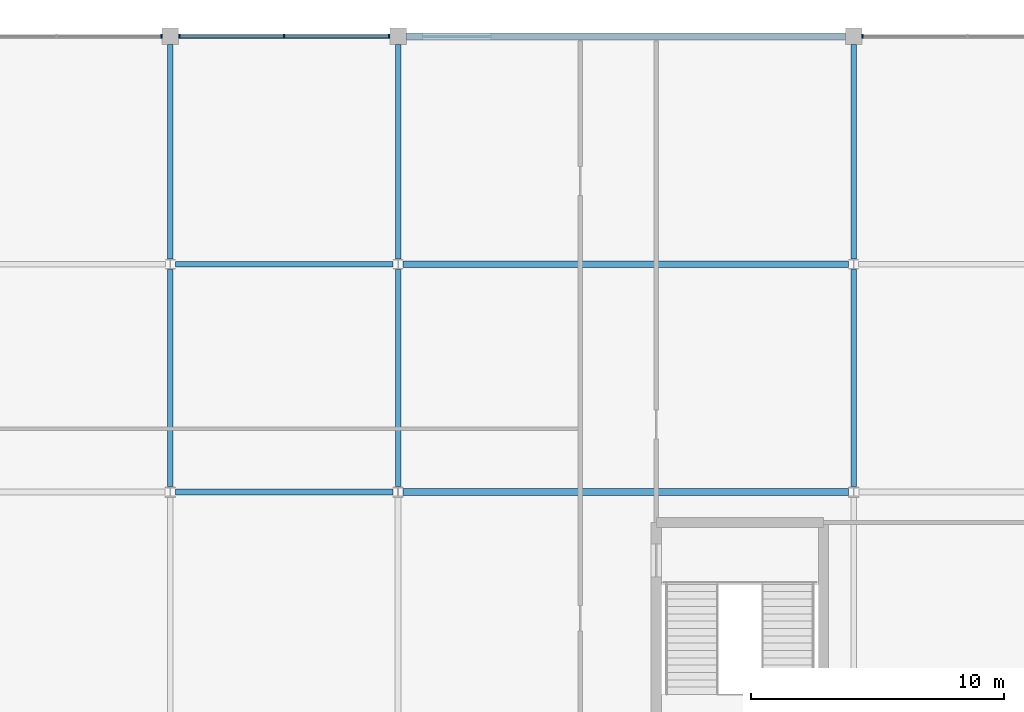
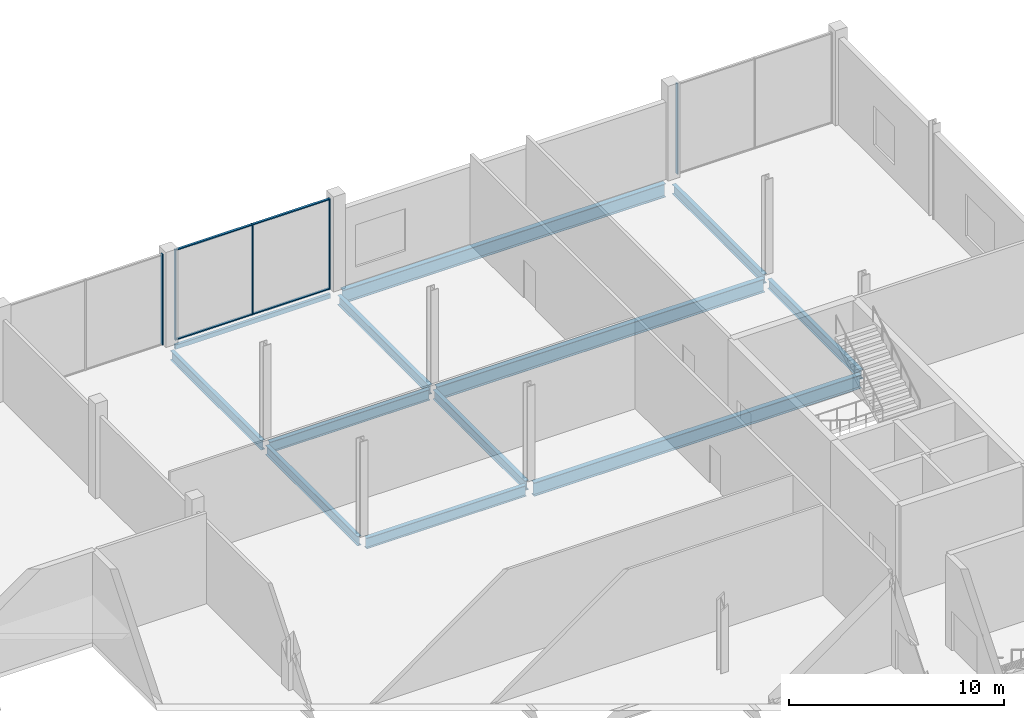
# One storey, part 52 of 111: 12 beams, 9 members, 3 elements without a shape of their own.
"""IFC4 building model written with IfcOpenShell, lengths in metres."""

import ifcopenshell
import ifcopenshell.guid

model = None  # the IFC model being written
_history = None  # IfcOwnerHistory: only IFC2X3 demands one
_inside = {}  # id of a spatial element -> (the spatial element, [elements in it])
_under = {}  # id of a project, library or spatial element -> (it, [spatial elements below it])
_declared = {}  # id of a project -> (the project, [libraries it declares])
_typed = {}  # id of a type object -> (the type object, [elements of that type])
_made_of = {}  # id of a material, layer set ... -> (it, [elements and type objects made of it])


def new_model(schema):
    """Start an empty IFC model of exactly this schema.

    Asked for "IFC4X3", IfcOpenShell would pick the latest addendum, in which some entities
    have other attributes; the version numbers below select the first issue.
    IFC2X3 requires an IfcOwnerHistory on every rooted entity: one is made here for all.
    """
    global model, _history
    if schema == "IFC4X3":
        model = ifcopenshell.file(schema_version=(4, 3, 0, 0))
    else:
        model = ifcopenshell.file(schema=schema)
    _inside.clear()
    _under.clear()
    _declared.clear()
    _typed.clear()
    _made_of.clear()
    _history = None
    if model.schema == "IFC2X3":
        org = make("IfcOrganization", Name="unknown")
        user = make(
            "IfcPersonAndOrganization",
            ThePerson=make("IfcPerson", FamilyName="unknown"),
            TheOrganization=org,
        )
        app = make(
            "IfcApplication",
            ApplicationDeveloper=org,
            Version="unknown",
            ApplicationFullName="unknown",
            ApplicationIdentifier="unknown",
        )
        _history = make(
            "IfcOwnerHistory",
            OwningUser=user,
            OwningApplication=app,
            ChangeAction="ADDED",
            CreationDate=0,
        )
    return model


def make(cls, **values):
    """One entity of the class cls with the attributes given. An attribute that is None is left unset."""
    return model.create_entity(
        cls, **{name: value for name, value in values.items() if value is not None}
    )


def rooted(cls, **values):
    """An entity with a GlobalId (a new one), such as an element, a storey or a relation."""
    return make(cls, GlobalId=ifcopenshell.guid.new(), OwnerHistory=_history, **values)


def si_unit(unit_type, name, prefix=None):
    """IfcSIUnit, for example si_unit("LENGTHUNIT", "METRE", prefix="MILLI")."""
    return make("IfcSIUnit", UnitType=unit_type, Prefix=prefix, Name=name)


def assignment(units):
    """IfcUnitAssignment: the units of a project."""
    return None if units is None else make("IfcUnitAssignment", Units=units)


def point(xyz):
    """IfcCartesianPoint."""
    return None if xyz is None else make("IfcCartesianPoint", Coordinates=xyz)


def direction(xyz):
    """IfcDirection."""
    return None if xyz is None else make("IfcDirection", DirectionRatios=xyz)


def frame(location, z_axis=None, x_axis=None):
    """IfcAxis2Placement3D, a coordinate frame: its origin and axes. An axis left out is left unset."""
    return make(
        "IfcAxis2Placement3D",
        Location=point(location),
        Axis=direction(z_axis),
        RefDirection=direction(x_axis),
    )


def frame_2d(location, x_axis=None):
    """IfcAxis2Placement2D, a coordinate frame in the plane: its origin and x axis."""
    return make(
        "IfcAxis2Placement2D", Location=point(location), RefDirection=direction(x_axis)
    )


def origin():
    """The frame at (0, 0, 0) with its axes left unset."""
    return frame((0.0, 0.0, 0.0))


def origin_2d():
    """The frame at (0, 0) in the plane with its x axis left unset."""
    return frame_2d((0.0, 0.0))


def place(relative_to, where):
    """IfcLocalPlacement: puts the frame where relative to a parent placement (None: the world)."""
    return make(
        "IfcLocalPlacement", PlacementRelTo=relative_to, RelativePlacement=where
    )


def context(
    kind, dimensions, precision=None, world=None, true_north=None, identifier=None
):
    """IfcGeometricRepresentationContext, for example the 3D "Model" context."""
    return make(
        "IfcGeometricRepresentationContext",
        ContextIdentifier=identifier,
        ContextType=kind,
        CoordinateSpaceDimension=dimensions,
        Precision=precision,
        WorldCoordinateSystem=world,
        TrueNorth=true_north,
    )


def subcontext(parent, identifier, kind, view, scale=None):
    """IfcGeometricRepresentationSubContext, for example "Body" below "Model"."""
    return make(
        "IfcGeometricRepresentationSubContext",
        ContextIdentifier=identifier,
        ContextType=kind,
        ParentContext=parent,
        TargetScale=scale,
        TargetView=view,
    )


def project(units=None, contexts=None):
    """IfcProject with its units and contexts."""
    return rooted(
        "IfcProject",
        Name="project",
        RepresentationContexts=contexts,
        UnitsInContext=assignment(units),
    )


def spatial(cls, under=None, at=None, **own):
    """A site, building, storey or space (cls), placed at a placement, below another one or the project."""
    s = rooted(cls, ObjectPlacement=at, **own)
    if under is not None:
        _under.setdefault(under.id(), (under, []))[1].append(s)
    return s


def profile(cls, at=None, kind="AREA", **sizes):
    """A parametric profile (cls). Its sizes go by their IFC names, for example OverallWidth=200.0."""
    return make(cls, ProfileType=kind, Position=at, **sizes)


def rectangle(**sizes):
    """IfcRectangleProfileDef."""
    return profile("IfcRectangleProfileDef", **sizes)


def hollow_rectangle(**sizes):
    """IfcRectangleHollowProfileDef."""
    return profile("IfcRectangleHollowProfileDef", **sizes)


def i_section(**sizes):
    """IfcIShapeProfileDef."""
    return profile("IfcIShapeProfileDef", **sizes)


def extrude(swept, where, along, depth):
    """IfcExtrudedAreaSolid: the profile swept, set in the frame where, extruded along a direction by depth."""
    return make(
        "IfcExtrudedAreaSolid",
        SweptArea=swept,
        Position=where,
        ExtrudedDirection=direction(along),
        Depth=depth,
    )


def shape(context_of_items, identifier, shape_type, items):
    """IfcShapeRepresentation: the items that make up one representation, for example the "Body"."""
    return make(
        "IfcShapeRepresentation",
        ContextOfItems=context_of_items,
        RepresentationIdentifier=identifier,
        RepresentationType=shape_type,
        Items=items,
    )


def material(Name=None, Category=None):
    """IfcMaterial."""
    return make("IfcMaterial", Name=Name, Category=Category)


def layer(
    of_material, thickness, ventilated=None, Name=None, Category=None, Priority=None
):
    """IfcMaterialLayer: one layer of a wall or slab, of a material (None: an air gap)."""
    return make(
        "IfcMaterialLayer",
        Material=of_material,
        LayerThickness=thickness,
        IsVentilated=ventilated,
        Name=Name,
        Category=Category,
        Priority=Priority,
    )


def layer_set(layers, Name=None):
    """IfcMaterialLayerSet."""
    return make("IfcMaterialLayerSet", MaterialLayers=layers, LayerSetName=Name)


def material_profile(
    of_material, cross_section, Name=None, Category=None, Priority=None
):
    """IfcMaterialProfile: a cross section and its material."""
    return make(
        "IfcMaterialProfile",
        Name=Name,
        Material=of_material,
        Profile=cross_section,
        Priority=Priority,
        Category=Category,
    )


def profile_set(profiles, Name=None, composite=None):
    """IfcMaterialProfileSet."""
    return make(
        "IfcMaterialProfileSet",
        Name=Name,
        MaterialProfiles=profiles,
        CompositeProfile=composite,
    )


def made_of(thing, what):
    """Note that an element or type object is made of a material, layer set ...; save() writes the relation."""
    if what is not None:
        _made_of.setdefault(what.id(), (what, []))[1].append(thing)
    return thing


def type_object(cls, material=None, **own):
    """A type object (cls), such as IfcWallType, which elements share."""
    return made_of(rooted(cls, **own), material)


def element(
    cls,
    number,
    at=None,
    inside=None,
    cuts=None,
    type_object=None,
    material=None,
    context=None,
    identifier="Body",
    shape_type=None,
    held_by="IfcProductDefinitionShape",
    body=None,
    shapes=None,
    **own,
):
    """One element of the class cls, such as IfcWall. Its Tag is "e" and its number.

    at: its placement. inside: the storey or other place that contains it. cuts: it is an
    opening in that element (IfcRelVoidsElement). A single representation is given by context,
    identifier, shape_type and body (its items); several are given by shapes. held_by: the class
    of the entity that holds the representations. save() writes the other relations.
    """
    e = rooted(cls, Tag="e%d" % number, ObjectPlacement=at, **own)
    if body is not None:
        shapes = [shape(context, identifier, shape_type, body)]
    if shapes is not None:
        e.Representation = make(held_by, Representations=shapes)
    if inside is not None:
        _inside.setdefault(inside.id(), (inside, []))[1].append(e)
    if cuts is not None:
        rooted(
            "IfcRelVoidsElement", RelatingBuildingElement=cuts, RelatedOpeningElement=e
        )
    if type_object is not None:
        _typed.setdefault(type_object.id(), (type_object, []))[1].append(e)
    return made_of(e, material)


def aggregate(whole, parts):
    """IfcRelAggregates: a whole, such as a stair, and the parts it consists of."""
    return rooted("IfcRelAggregates", RelatingObject=whole, RelatedObjects=parts)


def save(model, path):
    """Write the relations noted so far, then the file.

    IfcRelAggregates (storeys below a building ...), IfcRelContainedInSpatialStructure (elements
    in a storey), IfcRelDefinesByType, IfcRelAssociatesMaterial and IfcRelDeclares: one each for
    every whole, place, type object, material and project.
    """
    for whole, parts in _under.values():
        aggregate(whole, parts)
    for where, things in _inside.values():
        rooted(
            "IfcRelContainedInSpatialStructure",
            RelatedElements=things,
            RelatingStructure=where,
        )
    for kind, things in _typed.values():
        rooted("IfcRelDefinesByType", RelatedObjects=things, RelatingType=kind)
    for what, things in _made_of.values():
        rooted("IfcRelAssociatesMaterial", RelatedObjects=things, RelatingMaterial=what)
    for by, libraries in _declared.values():
        rooted("IfcRelDeclares", RelatingContext=by, RelatedDefinitions=libraries)
    model.write(path)


model = new_model("IFC4")

# Units and contexts
model_context = context("Model", 3, precision=1e-05, world=origin(), true_north=direction((0.0, 1.0)))
body_context = subcontext(model_context, "Body", "Model", "MODEL_VIEW")
ifc_project = project(units=[si_unit("LENGTHUNIT", "METRE"), si_unit("AREAUNIT", "SQUARE_METRE"), si_unit("VOLUMEUNIT", "CUBIC_METRE"), si_unit("PLANEANGLEUNIT", "RADIAN"), si_unit("MASSUNIT", "GRAM", prefix="KILO")], contexts=[model_context])

# Site, building, storey
site_placement = place(None, origin())
site = spatial("IfcSite", under=ifc_project, at=site_placement, CompositionType="ELEMENT")
building_placement = place(site_placement, origin())
building = spatial("IfcBuilding", under=site, at=building_placement, Name="Kisiwana Market Hall", CompositionType="ELEMENT")
storey_placement = place(building_placement, frame((0.0, 0.0, 11.39990234375)))
storey = spatial("IfcBuildingStorey", under=building, at=storey_placement, Name="L02", CompositionType="ELEMENT", Elevation=11.39990234375)

# Beams
ifc_material_1 = material(Name="Steel S355", Category="steel")
ifc_material_profile_1 = material_profile(ifc_material_1, i_section(OverallWidth=0.209228515625, OverallDepth=0.533203125, WebThickness=0.010009765625, FlangeThickness=0.015625, at=origin_2d()), Name="UB 533x210x92")
ifc_profile_set_1 = profile_set([ifc_material_profile_1], Name="Steel S355")
beam_type_1 = type_object("IfcBeamType", Name="BM-GIRD-UB533", PredefinedType="BEAM", material=ifc_profile_set_1)
beam_1_placement = place(storey_placement, frame((162.0, 102.21337890625, -0.516357421875), z_axis=(0.0, 1.0, 0.0), x_axis=(-1.0, 0.0, 0.0)))
element("IfcBeam", 1, at=beam_1_placement, inside=storey, type_object=beam_type_1, Name="Primary girder B-0675", PredefinedType="BEAM", context=body_context, shape_type="SweptSolid", body=[
    extrude(i_section(OverallWidth=0.209228515625, OverallDepth=0.533203125, WebThickness=0.010009765625, FlangeThickness=0.015625, at=origin_2d()), origin(), (0.0, 0.0, 1.0), 8.58740234375),
])
beam_2_placement = place(storey_placement, frame((162.0, 111.19921875, -0.516357421875), z_axis=(0.0, 1.0, 0.0), x_axis=(-1.0, 0.0, 0.0)))
element("IfcBeam", 2, at=beam_2_placement, inside=storey, type_object=beam_type_1, Name="Primary girder B-0676", PredefinedType="BEAM", context=body_context, shape_type="SweptSolid", body=[
    extrude(i_section(OverallWidth=0.209228515625, OverallDepth=0.533203125, WebThickness=0.010009765625, FlangeThickness=0.015625, at=origin_2d()), origin(), (0.0, 0.0, 1.0), 8.479736328125),
])
beam_3_placement = place(storey_placement, frame((171.0, 102.21337890625, -0.516357421875), z_axis=(0.0, 1.0, 0.0), x_axis=(-1.0, 0.0, 0.0)))
element("IfcBeam", 3, at=beam_3_placement, inside=storey, type_object=beam_type_1, Name="Primary girder B-0681", PredefinedType="BEAM", context=body_context, shape_type="SweptSolid", body=[
    extrude(i_section(OverallWidth=0.209228515625, OverallDepth=0.533203125, WebThickness=0.010009765625, FlangeThickness=0.015625, at=origin_2d()), origin(), (0.0, 0.0, 1.0), 8.58740234375),
])
beam_4_placement = place(storey_placement, frame((171.0, 111.19921875, -0.516357421875), z_axis=(0.0, 1.0, 0.0), x_axis=(-1.0, 0.0, 0.0)))
element("IfcBeam", 4, at=beam_4_placement, inside=storey, type_object=beam_type_1, Name="Primary girder B-0682", PredefinedType="BEAM", context=body_context, shape_type="SweptSolid", body=[
    extrude(i_section(OverallWidth=0.209228515625, OverallDepth=0.533203125, WebThickness=0.010009765625, FlangeThickness=0.015625, at=origin_2d()), origin(), (0.0, 0.0, 1.0), 8.479736328125),
])
beam_5_placement = place(storey_placement, frame((189.0, 102.21337890625, -0.516357421875), z_axis=(0.0, 1.0, 0.0), x_axis=(-1.0, 0.0, 0.0)))
element("IfcBeam", 5, at=beam_5_placement, inside=storey, type_object=beam_type_1, Name="Primary girder B-0689", PredefinedType="BEAM", context=body_context, shape_type="SweptSolid", body=[
    extrude(i_section(OverallWidth=0.209228515625, OverallDepth=0.533203125, WebThickness=0.010009765625, FlangeThickness=0.015625, at=origin_2d()), origin(), (0.0, 0.0, 1.0), 8.58740234375),
])
beam_6_placement = place(storey_placement, frame((189.0, 111.19921875, -0.516357421875), z_axis=(0.0, 1.0, 0.0), x_axis=(-1.0, 0.0, 0.0)))
element("IfcBeam", 6, at=beam_6_placement, inside=storey, type_object=beam_type_1, Name="Primary girder B-0690", PredefinedType="BEAM", context=body_context, shape_type="SweptSolid", body=[
    extrude(i_section(OverallWidth=0.209228515625, OverallDepth=0.533203125, WebThickness=0.010009765625, FlangeThickness=0.015625, at=origin_2d()), origin(), (0.0, 0.0, 1.0), 8.479736328125),
])
ifc_material_2 = material(Name="Steel S355", Category="steel")
ifc_material_profile_2 = material_profile(ifc_material_2, i_section(OverallWidth=0.22900390625, OverallDepth=0.6123046875, WebThickness=0.011962890625, FlangeThickness=0.01953125, at=origin_2d()), Name="UB 610x229x125")
ifc_profile_set_2 = profile_set([ifc_material_profile_2], Name="Steel S355")
beam_type_2 = type_object("IfcBeamType", Name="BM-GIRD-UB610H", PredefinedType="BEAM", material=ifc_profile_set_2)
beam_7_placement = place(storey_placement, frame((162.201904296875, 102.0, -0.555908203125), z_axis=(1.0, 0.0, 0.0), x_axis=(0.0, 1.0, 0.0)))
element("IfcBeam", 7, at=beam_7_placement, inside=storey, type_object=beam_type_2, Name="Floor beam B-0800", PredefinedType="BEAM", context=body_context, shape_type="SweptSolid", body=[
    extrude(i_section(OverallWidth=0.22900390625, OverallDepth=0.6123046875, WebThickness=0.011962890625, FlangeThickness=0.01953125, at=origin_2d()), origin(), (0.0, 0.0, 1.0), 8.59619140625),
])
beam_8_placement = place(storey_placement, frame((162.197509765625, 111.0, -0.555908203125), z_axis=(1.0, 0.0, 0.0), x_axis=(0.0, 1.0, 0.0)))
element("IfcBeam", 8, at=beam_8_placement, inside=storey, type_object=beam_type_2, Name="Floor beam B-0808", PredefinedType="BEAM", context=body_context, shape_type="SweptSolid", body=[
    extrude(i_section(OverallWidth=0.22900390625, OverallDepth=0.6123046875, WebThickness=0.011962890625, FlangeThickness=0.01953125, at=origin_2d()), origin(), (0.0, 0.0, 1.0), 8.60498046875),
])
ifc_material_3 = material(Name="Steel S355", Category="steel")
ifc_material_profile_3 = material_profile(ifc_material_3, i_section(OverallWidth=0.2666015625, OverallDepth=0.76220703125, WebThickness=0.014404296875, FlangeThickness=0.021484375, at=origin_2d()), Name="UB 762x267x173")
ifc_profile_set_3 = profile_set([ifc_material_profile_3], Name="Steel S355")
beam_type_3 = type_object("IfcBeamType", Name="BM-GIRD-UB762", PredefinedType="BEAM", material=ifc_profile_set_3)
beam_9_placement = place(storey_placement, frame((171.201904296875, 102.0, -0.631103515625), z_axis=(1.0, 0.0, 0.0), x_axis=(0.0, 1.0, 0.0)))
element("IfcBeam", 9, at=beam_9_placement, inside=storey, type_object=beam_type_3, Name="Floor beam B-0801", PredefinedType="BEAM", context=body_context, shape_type="SweptSolid", body=[
    extrude(i_section(OverallWidth=0.2666015625, OverallDepth=0.76220703125, WebThickness=0.014404296875, FlangeThickness=0.021484375, at=origin_2d()), origin(), (0.0, 0.0, 1.0), 17.59619140625),
])
beam_10_placement = place(storey_placement, frame((171.197509765625, 111.0, -0.631103515625), z_axis=(1.0, 0.0, 0.0), x_axis=(0.0, 1.0, 0.0)))
element("IfcBeam", 10, at=beam_10_placement, inside=storey, type_object=beam_type_3, Name="Floor beam B-0809", PredefinedType="BEAM", context=body_context, shape_type="SweptSolid", body=[
    extrude(i_section(OverallWidth=0.2666015625, OverallDepth=0.76220703125, WebThickness=0.014404296875, FlangeThickness=0.021484375, at=origin_2d()), origin(), (0.0, 0.0, 1.0), 17.60498046875),
])
beam_11_placement = place(storey_placement, frame((171.321044921875, 120.0, -0.631103515625), z_axis=(1.0, 0.0, 0.0), x_axis=(0.0, 1.0, 0.0)))
element("IfcBeam", 11, at=beam_11_placement, inside=storey, type_object=beam_type_3, Name="Floor beam B-0823", PredefinedType="BEAM", context=body_context, shape_type="SweptSolid", body=[
    extrude(i_section(OverallWidth=0.2666015625, OverallDepth=0.76220703125, WebThickness=0.014404296875, FlangeThickness=0.021484375, at=origin_2d()), origin(), (0.0, 0.0, 1.0), 17.35791015625),
])
ifc_material_4 = material(Name="Steel S355", Category="steel")
ifc_material_profile_4 = material_profile(ifc_material_4, hollow_rectangle(XDim=0.14990234375, YDim=0.25, WallThickness=0.010009765625, at=origin_2d()), Name="RHS 250x150x10.0")
ifc_profile_set_4 = profile_set([ifc_material_profile_4], Name="Steel S355")
beam_type_4 = type_object("IfcBeamType", Name="BM-SPAN-RHS250", PredefinedType="SPANDREL", material=ifc_profile_set_4)
beam_12_placement = place(storey_placement, frame((162.321044921875, 120.0, -0.375), z_axis=(1.0, 0.0, 0.0), x_axis=(0.0, 1.0, 0.0)))
element("IfcBeam", 12, at=beam_12_placement, inside=storey, type_object=beam_type_4, Name="Floor beam B-0822", PredefinedType="SPANDREL", context=body_context, shape_type="SweptSolid", body=[
    extrude(hollow_rectangle(XDim=0.14990234375, YDim=0.25, WallThickness=0.010009765625, at=origin_2d()), origin(), (0.0, 0.0, 1.0), 8.35791015625),
])

# Curtain wall, member
ifc_material_5 = material(Name="Double-glazed solar-control low-E IGU", Category="glass")
ifc_layer = layer(ifc_material_5, 0.159912109375)
ifc_layer_set = layer_set([ifc_layer], Name="CW-GLD-E-7200")
curtain_wall_type = type_object("IfcCurtainWallType", Name="CW-GLD-E-7200", PredefinedType="USERDEFINED", material=ifc_layer_set)
curtain_wall_1_placement = place(storey_placement, origin())
curtain_wall_1 = element("IfcCurtainWall", 13, at=curtain_wall_1_placement, inside=storey, type_object=curtain_wall_type, Name="Unitised curtain wall CW-086 (L02)", ObjectType="UNITISED CURTAIN WALL", PredefinedType="USERDEFINED")
ifc_material_6 = material(Name="Aluminium alloy 6063-T6", Category="aluminium")
ifc_material_profile_5 = material_profile(ifc_material_6, rectangle(XDim=0.06005859375, YDim=0.159912109375, at=origin_2d()), Name="ALU MULLION 60x160")
ifc_profile_set_5 = profile_set([ifc_material_profile_5], Name="Aluminium alloy 6063-T6")
member_type_1 = type_object("IfcMemberType", Name="CW-MULL-60x160", PredefinedType="MULLION", material=ifc_profile_set_5)
member_1_placement = place(storey_placement, frame((161.64501953125, 120.0, 0.0), z_axis=(0.0, 0.0, 1.0), x_axis=(1.0, 0.0, 0.0)))
member_1 = element("IfcMember", 14, at=member_1_placement, type_object=member_type_1, Name="CW-086 mullion 3", PredefinedType="MULLION", context=body_context, shape_type="SweptSolid", body=[
    extrude(rectangle(XDim=0.06005859375, YDim=0.159912109375, at=origin_2d()), origin(), (0.0, 0.0, 1.0), 5.150146484375),
])
aggregate(curtain_wall_1, [member_1])

# Curtain wall, members
curtain_wall_2_placement = place(storey_placement, origin())
curtain_wall_2 = element("IfcCurtainWall", 15, at=curtain_wall_2_placement, inside=storey, type_object=curtain_wall_type, Name="Unitised curtain wall CW-087 (L02)", ObjectType="UNITISED CURTAIN WALL", PredefinedType="USERDEFINED")
member_2_placement = place(storey_placement, frame((162.35498046875, 120.0, 0.0), z_axis=(0.0, 0.0, 1.0), x_axis=(1.0, 0.0, 0.0)))
member_2 = element("IfcMember", 16, at=member_2_placement, type_object=member_type_1, Name="CW-087 mullion 1", PredefinedType="MULLION", context=body_context, shape_type="SweptSolid", body=[
    extrude(rectangle(XDim=0.06005859375, YDim=0.159912109375, at=origin_2d()), origin(), (0.0, 0.0, 1.0), 5.150146484375),
])
member_3_placement = place(storey_placement, frame((166.5, 120.0, 0.0), z_axis=(0.0, 0.0, 1.0), x_axis=(1.0, 0.0, 0.0)))
member_3 = element("IfcMember", 17, at=member_3_placement, type_object=member_type_1, Name="CW-087 mullion 2", PredefinedType="MULLION", context=body_context, shape_type="SweptSolid", body=[
    extrude(rectangle(XDim=0.06005859375, YDim=0.159912109375, at=origin_2d()), origin(), (0.0, 0.0, 1.0), 5.150146484375),
])
member_4_placement = place(storey_placement, frame((170.64501953125, 120.0, 0.0), z_axis=(0.0, 0.0, 1.0), x_axis=(1.0, 0.0, 0.0)))
member_4 = element("IfcMember", 18, at=member_4_placement, type_object=member_type_1, Name="CW-087 mullion 3", PredefinedType="MULLION", context=body_context, shape_type="SweptSolid", body=[
    extrude(rectangle(XDim=0.06005859375, YDim=0.159912109375, at=origin_2d()), origin(), (0.0, 0.0, 1.0), 5.150146484375),
])

# Curtain wall, member
curtain_wall_3_placement = place(storey_placement, origin())
curtain_wall_3 = element("IfcCurtainWall", 19, at=curtain_wall_3_placement, inside=storey, type_object=curtain_wall_type, Name="Unitised curtain wall CW-088 (L02)", ObjectType="UNITISED CURTAIN WALL", PredefinedType="USERDEFINED")
member_5_placement = place(storey_placement, frame((189.35498046875, 120.0, 0.0), z_axis=(0.0, 0.0, 1.0), x_axis=(1.0, 0.0, 0.0)))
member_5 = element("IfcMember", 20, at=member_5_placement, type_object=member_type_1, Name="CW-088 mullion 1", PredefinedType="MULLION", context=body_context, shape_type="SweptSolid", body=[
    extrude(rectangle(XDim=0.06005859375, YDim=0.159912109375, at=origin_2d()), origin(), (0.0, 0.0, 1.0), 5.150146484375),
])
aggregate(curtain_wall_3, [member_5])

# Member
ifc_material_7 = material(Name="Aluminium alloy 6063-T6", Category="aluminium")
ifc_material_profile_6 = material_profile(ifc_material_7, rectangle(XDim=0.1201171875, YDim=0.06005859375, at=origin_2d()), Name="ALU TRANSOM 60x120")
ifc_profile_set_6 = profile_set([ifc_material_profile_6], Name="Aluminium alloy 6063-T6")
member_type_2 = type_object("IfcMemberType", Name="CW-TRAN-60x120", PredefinedType="USERDEFINED", material=ifc_profile_set_6)
member_6_placement = place(storey_placement, frame((162.385009765625, 120.0, 0.030029296875), z_axis=(1.0, 0.0, 0.0), x_axis=(0.0, 1.0, 0.0)))
member_6 = element("IfcMember", 21, at=member_6_placement, type_object=member_type_2, Name="CW-087 transom 1.1", ObjectType="TRANSOM", PredefinedType="USERDEFINED", context=body_context, shape_type="SweptSolid", body=[
    extrude(rectangle(XDim=0.1201171875, YDim=0.06005859375, at=origin_2d()), origin(), (0.0, 0.0, 1.0), 4.0849609375),
])

member_7_placement = place(storey_placement, frame((162.385009765625, 120.0, 5.1201171875), z_axis=(1.0, 0.0, 0.0), x_axis=(0.0, 1.0, 0.0)))
member_7 = element("IfcMember", 22, at=member_7_placement, type_object=member_type_2, Name="CW-087 transom 1.2", ObjectType="TRANSOM", PredefinedType="USERDEFINED", context=body_context, shape_type="SweptSolid", body=[
    extrude(rectangle(XDim=0.1201171875, YDim=0.06005859375, at=origin_2d()), origin(), (0.0, 0.0, 1.0), 4.0849609375),
])

member_8_placement = place(storey_placement, frame((166.530029296875, 120.0, 0.030029296875), z_axis=(1.0, 0.0, 0.0), x_axis=(0.0, 1.0, 0.0)))
member_8 = element("IfcMember", 23, at=member_8_placement, type_object=member_type_2, Name="CW-087 transom 2.1", ObjectType="TRANSOM", PredefinedType="USERDEFINED", context=body_context, shape_type="SweptSolid", body=[
    extrude(rectangle(XDim=0.1201171875, YDim=0.06005859375, at=origin_2d()), origin(), (0.0, 0.0, 1.0), 4.0849609375),
])

member_9_placement = place(storey_placement, frame((166.530029296875, 120.0, 5.1201171875), z_axis=(1.0, 0.0, 0.0), x_axis=(0.0, 1.0, 0.0)))
member_9 = element("IfcMember", 24, at=member_9_placement, type_object=member_type_2, Name="CW-087 transom 2.2", ObjectType="TRANSOM", PredefinedType="USERDEFINED", context=body_context, shape_type="SweptSolid", body=[
    extrude(rectangle(XDim=0.1201171875, YDim=0.06005859375, at=origin_2d()), origin(), (0.0, 0.0, 1.0), 4.0849609375),
])

aggregate(curtain_wall_2, [member_2, member_3, member_4, member_6, member_7, member_8, member_9])

save(model, "model.ifc")
